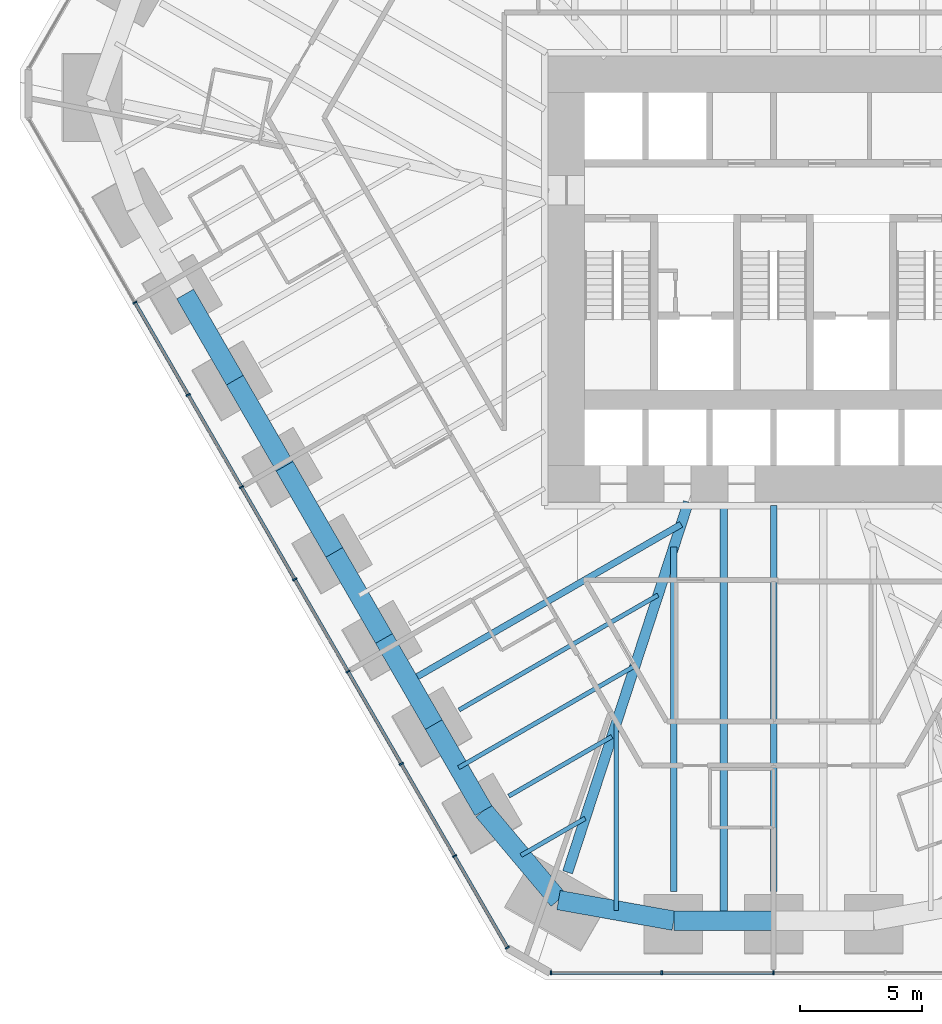
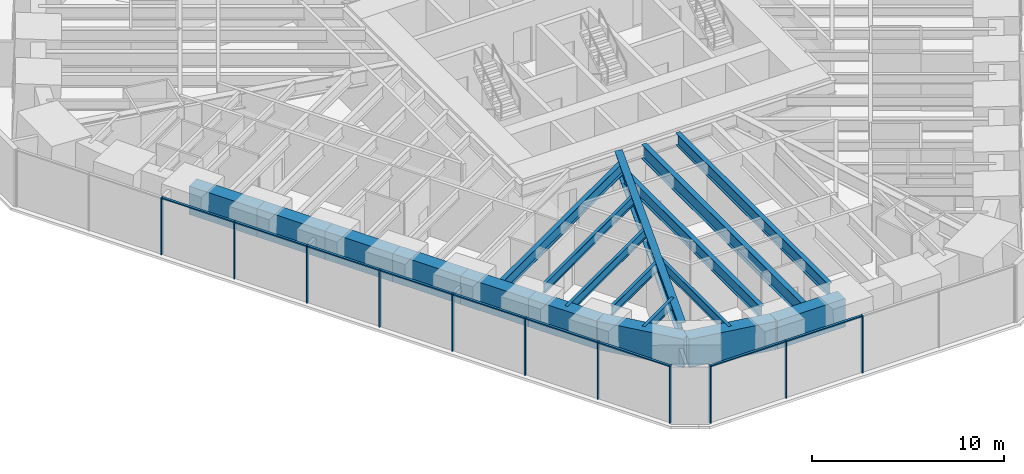
# One storey, part 2 of 17: 20 members, 19 beams, 2 elements without a shape of their own.
"""IFC4 building model written with IfcOpenShell, lengths in metres."""

from ifc_helpers import new_model, si_unit, direction, frame, origin, origin_2d, place, context, subcontext, project, spatial, rectangle, i_section, extrude, material, material_profile, profile_set, type_object, element, aggregate, save


model = new_model("IFC4")

# Units and contexts
model_context = context("Model", 3, precision=1e-05, world=origin(), true_north=direction((0.0, 1.0)))
body_context = subcontext(model_context, "Body", "Model", "MODEL_VIEW")
ifc_project = project(units=[si_unit("LENGTHUNIT", "METRE"), si_unit("AREAUNIT", "SQUARE_METRE"), si_unit("VOLUMEUNIT", "CUBIC_METRE"), si_unit("PLANEANGLEUNIT", "RADIAN"), si_unit("MASSUNIT", "GRAM", prefix="KILO")], contexts=[model_context])

# Site, building, storey
site_placement = place(None, origin())
site = spatial("IfcSite", under=ifc_project, at=site_placement, CompositionType="ELEMENT")
building_placement = place(site_placement, origin())
building = spatial("IfcBuilding", under=site, at=building_placement, Name="Sandreach Pilgrim Tower", CompositionType="ELEMENT")
storey_placement = place(building_placement, frame((0.0, 0.0, 72.39990234375)))
storey = spatial("IfcBuildingStorey", under=building, at=storey_placement, Name="L17", CompositionType="ELEMENT", Elevation=72.39990234375)

# Curtain wall, members
ifc_material_1 = material(Name="Aluminium framed curtain wall", Category="aluminium")
curtain_wall_type = type_object("IfcCurtainWallType", Name="Hostel tower curtain wall", PredefinedType="NOTDEFINED", material=ifc_material_1)
curtain_wall_1_placement = place(storey_placement, origin())
curtain_wall_1 = element("IfcCurtainWall", 1, at=curtain_wall_1_placement, inside=storey, type_object=curtain_wall_type, Name="CW-1 L17 S", PredefinedType="NOTDEFINED")
ifc_material_2 = material(Name="Aluminium extrusion", Category="aluminium")
ifc_material_profile_1 = material_profile(ifc_material_2, rectangle(XDim=0.06494140625, YDim=0.179931640625, at=origin_2d()), Name="CW-1M 65X180")
ifc_profile_set_1 = profile_set([ifc_material_profile_1], Name="Aluminium extrusion")
member_type_1 = type_object("IfcMemberType", Name="CW-1 mullion", PredefinedType="MULLION", material=ifc_profile_set_1)
member_1_placement = place(storey_placement, frame((0.0, -30.010986328125, 0.0), z_axis=(0.0, 0.0, 1.0), x_axis=(-1.0, 0.0, 0.0)))
member_1 = element("IfcMember", 2, at=member_1_placement, type_object=member_type_1, Name="CW-1 mullion 3", PredefinedType="MULLION", context=body_context, shape_type="SweptSolid", body=[
    extrude(rectangle(XDim=0.06494140625, YDim=0.179931640625, at=origin_2d()), origin(), (0.0, 0.0, 1.0), 3.64013671875),
])
member_2_placement = place(storey_placement, frame((-4.5859375, -30.010986328125, 0.0), z_axis=(0.0, 0.0, 1.0), x_axis=(-1.0, 0.0, 0.0)))
member_2 = element("IfcMember", 3, at=member_2_placement, type_object=member_type_1, Name="CW-1 mullion 4", PredefinedType="MULLION", context=body_context, shape_type="SweptSolid", body=[
    extrude(rectangle(XDim=0.06494140625, YDim=0.179931640625, at=origin_2d()), origin(), (0.0, 0.0, 1.0), 3.64013671875),
])
member_3_placement = place(storey_placement, frame((-9.1396484375, -30.010986328125, 0.0), z_axis=(0.0, 0.0, 1.0), x_axis=(-1.0, 0.0, 0.0)))
member_3 = element("IfcMember", 4, at=member_3_placement, type_object=member_type_1, Name="CW-1 mullion 5", PredefinedType="MULLION", context=body_context, shape_type="SweptSolid", body=[
    extrude(rectangle(XDim=0.06494140625, YDim=0.179931640625, at=origin_2d()), origin(), (0.0, 0.0, 1.0), 3.64013671875),
])

curtain_wall_2_placement = place(storey_placement, origin())
curtain_wall_2 = element("IfcCurtainWall", 5, at=curtain_wall_2_placement, inside=storey, type_object=curtain_wall_type, Name="CW-1 L17 SW", PredefinedType="NOTDEFINED")
member_4_placement = place(storey_placement, frame((-10.92041015625, -28.982666015625, 0.0), z_axis=(0.0, 0.0, 1.0), x_axis=(-0.5, 0.866025403784, 0.0)))
member_4 = element("IfcMember", 6, at=member_4_placement, type_object=member_type_1, Name="CW-1 mullion 1", PredefinedType="MULLION", context=body_context, shape_type="SweptSolid", body=[
    extrude(rectangle(XDim=0.06494140625, YDim=0.179931640625, at=origin_2d()), origin(), (0.0, 0.0, 1.0), 3.64013671875),
])
member_5_placement = place(storey_placement, frame((-13.08984375, -25.22509765625, 0.0), z_axis=(0.0, 0.0, 1.0), x_axis=(-0.5, 0.866025403784, 0.0)))
member_5 = element("IfcMember", 7, at=member_5_placement, type_object=member_type_1, Name="CW-1 mullion 2", PredefinedType="MULLION", context=body_context, shape_type="SweptSolid", body=[
    extrude(rectangle(XDim=0.06494140625, YDim=0.179931640625, at=origin_2d()), origin(), (0.0, 0.0, 1.0), 3.64013671875),
])
member_6_placement = place(storey_placement, frame((-15.275634765625, -21.439208984375, 0.0), z_axis=(0.0, 0.0, 1.0), x_axis=(-0.5, 0.866025403784, 0.0)))
member_6 = element("IfcMember", 8, at=member_6_placement, type_object=member_type_1, Name="CW-1 mullion 3", PredefinedType="MULLION", context=body_context, shape_type="SweptSolid", body=[
    extrude(rectangle(XDim=0.06494140625, YDim=0.179931640625, at=origin_2d()), origin(), (0.0, 0.0, 1.0), 3.64013671875),
])
member_7_placement = place(storey_placement, frame((-17.46142578125, -17.6533203125, 0.0), z_axis=(0.0, 0.0, 1.0), x_axis=(-0.5, 0.866025403784, 0.0)))
member_7 = element("IfcMember", 9, at=member_7_placement, type_object=member_type_1, Name="CW-1 mullion 4", PredefinedType="MULLION", context=body_context, shape_type="SweptSolid", body=[
    extrude(rectangle(XDim=0.06494140625, YDim=0.179931640625, at=origin_2d()), origin(), (0.0, 0.0, 1.0), 3.64013671875),
])
member_8_placement = place(storey_placement, frame((-19.647216796875, -13.8671875, 0.0), z_axis=(0.0, 0.0, 1.0), x_axis=(-0.5, 0.866025403784, 0.0)))
member_8 = element("IfcMember", 10, at=member_8_placement, type_object=member_type_1, Name="CW-1 mullion 5", PredefinedType="MULLION", context=body_context, shape_type="SweptSolid", body=[
    extrude(rectangle(XDim=0.06494140625, YDim=0.179931640625, at=origin_2d()), origin(), (0.0, 0.0, 1.0), 3.64013671875),
])
member_9_placement = place(storey_placement, frame((-21.8330078125, -10.081298828125, 0.0), z_axis=(0.0, 0.0, 1.0), x_axis=(-0.5, 0.866025403784, 0.0)))
member_9 = element("IfcMember", 11, at=member_9_placement, type_object=member_type_1, Name="CW-1 mullion 6", PredefinedType="MULLION", context=body_context, shape_type="SweptSolid", body=[
    extrude(rectangle(XDim=0.06494140625, YDim=0.179931640625, at=origin_2d()), origin(), (0.0, 0.0, 1.0), 3.64013671875),
])
member_10_placement = place(storey_placement, frame((-24.018798828125, -6.29541015625, 0.0), z_axis=(0.0, 0.0, 1.0), x_axis=(-0.5, 0.866025403784, 0.0)))
member_10 = element("IfcMember", 12, at=member_10_placement, type_object=member_type_1, Name="CW-1 mullion 7", PredefinedType="MULLION", context=body_context, shape_type="SweptSolid", body=[
    extrude(rectangle(XDim=0.06494140625, YDim=0.179931640625, at=origin_2d()), origin(), (0.0, 0.0, 1.0), 3.64013671875),
])
member_11_placement = place(storey_placement, frame((-26.20458984375, -2.509521484375, 0.0), z_axis=(0.0, 0.0, 1.0), x_axis=(-0.5, 0.866025403784, 0.0)))
member_11 = element("IfcMember", 13, at=member_11_placement, type_object=member_type_1, Name="CW-1 mullion 8", PredefinedType="MULLION", context=body_context, shape_type="SweptSolid", body=[
    extrude(rectangle(XDim=0.06494140625, YDim=0.179931640625, at=origin_2d()), origin(), (0.0, 0.0, 1.0), 3.64013671875),
])

# Member
ifc_material_3 = material(Name="Aluminium extrusion", Category="aluminium")
ifc_material_profile_2 = material_profile(ifc_material_3, rectangle(XDim=0.139892578125, YDim=0.070068359375, at=origin_2d()), Name="CW-1T 140X70")
ifc_profile_set_2 = profile_set([ifc_material_profile_2], Name="Aluminium extrusion")
member_type_2 = type_object("IfcMemberType", Name="CW-1 transom", PredefinedType="USERDEFINED", material=ifc_profile_set_2)
member_12_placement = place(storey_placement, frame((-0.032470703125, -30.010986328125, 3.60498046875), z_axis=(-1.0, 0.0, 0.0), x_axis=(0.0, -1.0, 0.0)))
member_12 = element("IfcMember", 14, at=member_12_placement, type_object=member_type_2, Name="CW-1 head transom 3", ObjectType="TRANSOM", PredefinedType="USERDEFINED", context=body_context, shape_type="SweptSolid", body=[
    extrude(rectangle(XDim=0.139892578125, YDim=0.070068359375, at=origin_2d()), origin(), (0.0, 0.0, 1.0), 4.52099609375),
])

member_13_placement = place(storey_placement, frame((-4.61865234375, -30.010986328125, 3.60498046875), z_axis=(-1.0, 0.0, 0.0), x_axis=(0.0, -1.0, 0.0)))
member_13 = element("IfcMember", 15, at=member_13_placement, type_object=member_type_2, Name="CW-1 head transom 4", ObjectType="TRANSOM", PredefinedType="USERDEFINED", context=body_context, shape_type="SweptSolid", body=[
    extrude(rectangle(XDim=0.139892578125, YDim=0.070068359375, at=origin_2d()), origin(), (0.0, 0.0, 1.0), 4.488525390625),
])

aggregate(curtain_wall_1, [member_1, member_2, member_3, member_12, member_13])

member_14_placement = place(storey_placement, frame((-10.9365234375, -28.95458984375, 3.60498046875), z_axis=(-0.500033953635, 0.866005799756, 0.0), x_axis=(-0.866005799756, -0.500033953635, 0.0)))
member_14 = element("IfcMember", 16, at=member_14_placement, type_object=member_type_2, Name="CW-1 head transom 1", ObjectType="TRANSOM", PredefinedType="USERDEFINED", context=body_context, shape_type="SweptSolid", body=[
    extrude(rectangle(XDim=0.139892578125, YDim=0.070068359375, at=origin_2d()), origin(), (0.0, 0.0, 1.0), 4.274169921875),
])

member_15_placement = place(storey_placement, frame((-13.106201171875, -25.19677734375, 3.60498046875), z_axis=(-0.500016891966, 0.866015650984, 0.0), x_axis=(-0.866015650984, -0.500016891966, 0.0)))
member_15 = element("IfcMember", 17, at=member_15_placement, type_object=member_type_2, Name="CW-1 head transom 2", ObjectType="TRANSOM", PredefinedType="USERDEFINED", context=body_context, shape_type="SweptSolid", body=[
    extrude(rectangle(XDim=0.139892578125, YDim=0.070068359375, at=origin_2d()), origin(), (0.0, 0.0, 1.0), 4.306396484375),
])

member_16_placement = place(storey_placement, frame((-15.2919921875, -21.410888671875, 3.60498046875), z_axis=(-0.500016891966, 0.866015650984, 0.0), x_axis=(-0.866015650984, -0.500016891966, 0.0)))
member_16 = element("IfcMember", 18, at=member_16_placement, type_object=member_type_2, Name="CW-1 head transom 3", ObjectType="TRANSOM", PredefinedType="USERDEFINED", context=body_context, shape_type="SweptSolid", body=[
    extrude(rectangle(XDim=0.139892578125, YDim=0.070068359375, at=origin_2d()), origin(), (0.0, 0.0, 1.0), 4.306396484375),
])

member_17_placement = place(storey_placement, frame((-17.477783203125, -17.625, 3.60498046875), z_axis=(-0.500016891966, 0.866015650984, 0.0), x_axis=(-0.866015650984, -0.500016891966, 0.0)))
member_17 = element("IfcMember", 19, at=member_17_placement, type_object=member_type_2, Name="CW-1 head transom 4", ObjectType="TRANSOM", PredefinedType="USERDEFINED", context=body_context, shape_type="SweptSolid", body=[
    extrude(rectangle(XDim=0.139892578125, YDim=0.070068359375, at=origin_2d()), origin(), (0.0, 0.0, 1.0), 4.306396484375),
])

member_18_placement = place(storey_placement, frame((-19.66357421875, -13.839111328125, 3.60498046875), z_axis=(-0.500016891966, 0.866015650984, 0.0), x_axis=(-0.866015650984, -0.500016891966, 0.0)))
member_18 = element("IfcMember", 20, at=member_18_placement, type_object=member_type_2, Name="CW-1 head transom 5", ObjectType="TRANSOM", PredefinedType="USERDEFINED", context=body_context, shape_type="SweptSolid", body=[
    extrude(rectangle(XDim=0.139892578125, YDim=0.070068359375, at=origin_2d()), origin(), (0.0, 0.0, 1.0), 4.306396484375),
])

member_19_placement = place(storey_placement, frame((-21.849365234375, -10.05322265625, 3.60498046875), z_axis=(-0.500016891966, 0.866015650984, 0.0), x_axis=(-0.866015650984, -0.500016891966, 0.0)))
member_19 = element("IfcMember", 21, at=member_19_placement, type_object=member_type_2, Name="CW-1 head transom 6", ObjectType="TRANSOM", PredefinedType="USERDEFINED", context=body_context, shape_type="SweptSolid", body=[
    extrude(rectangle(XDim=0.139892578125, YDim=0.070068359375, at=origin_2d()), origin(), (0.0, 0.0, 1.0), 4.306396484375),
])

member_20_placement = place(storey_placement, frame((-24.03515625, -6.267333984375, 3.60498046875), z_axis=(-0.500016891966, 0.866015650984, 0.0), x_axis=(-0.866015650984, -0.500016891966, 0.0)))
member_20 = element("IfcMember", 22, at=member_20_placement, type_object=member_type_2, Name="CW-1 head transom 7", ObjectType="TRANSOM", PredefinedType="USERDEFINED", context=body_context, shape_type="SweptSolid", body=[
    extrude(rectangle(XDim=0.139892578125, YDim=0.070068359375, at=origin_2d()), origin(), (0.0, 0.0, 1.0), 4.306396484375),
])

aggregate(curtain_wall_2, [member_4, member_5, member_6, member_7, member_8, member_9, member_10, member_11, member_14, member_15, member_16, member_17, member_18, member_19, member_20])

# Beams
ifc_material_4 = material(Name="Steel ASTM A992 Grade 50", Category="steel")
ifc_material_profile_3 = material_profile(ifc_material_4, i_section(OverallWidth=0.424072265625, OverallDepth=0.947509765625, WebThickness=0.02392578125, FlangeThickness=0.042724609375, at=origin_2d()), Name="W36X302")
ifc_profile_set_3 = profile_set([ifc_material_profile_3], Name="Steel ASTM A992 Grade 50")
beam_type_1 = type_object("IfcBeamType", Name="Corner girder W36X302", PredefinedType="BEAM", material=ifc_profile_set_3)
beam_1_placement = place(storey_placement, frame((-8.45166015625, -25.891357421875, 3.16650390625), z_axis=(0.310318383397, 0.950632684545, 0.0), x_axis=(-0.950632684545, 0.310318383397, 0.0)))
element("IfcBeam", 23, at=beam_1_placement, inside=storey, type_object=beam_type_1, Name="BM L17 CG26", PredefinedType="BEAM", context=body_context, shape_type="SweptSolid", body=[
    extrude(i_section(OverallWidth=0.424072265625, OverallDepth=0.947509765625, WebThickness=0.02392578125, FlangeThickness=0.042724609375, at=origin_2d()), origin(), (0.0, 0.0, 1.0), 15.980224609375),
])
ifc_material_5 = material(Name="Steel ASTM A992 Grade 50", Category="steel")
ifc_material_profile_4 = material_profile(ifc_material_5, i_section(OverallWidth=0.1787109375, OverallDepth=0.60205078125, WebThickness=0.010986328125, FlangeThickness=0.014892578125, at=origin_2d()), Name="W24X62")
ifc_profile_set_4 = profile_set([ifc_material_profile_4], Name="Steel ASTM A992 Grade 50")
beam_type_2 = type_object("IfcBeamType", Name="Floor beam W24X62", PredefinedType="BEAM", material=ifc_profile_set_4)
beam_2_placement = place(storey_placement, frame((-10.864501953125, -22.763427734375, 3.339111328125), z_axis=(0.866017503598, 0.500013683274, 0.0), x_axis=(-0.500013683274, 0.866017503598, 0.0)))
element("IfcBeam", 24, at=beam_2_placement, inside=storey, type_object=beam_type_2, Name="BM L17 F27", PredefinedType="BEAM", context=body_context, shape_type="SweptSolid", body=[
    extrude(i_section(OverallWidth=0.1787109375, OverallDepth=0.60205078125, WebThickness=0.010986328125, FlangeThickness=0.014892578125, at=origin_2d()), origin(), (0.0, 0.0, 1.0), 4.885986328125),
])
beam_3_placement = place(storey_placement, frame((-12.90478515625, -19.229736328125, 3.339111328125), z_axis=(0.866013563863, 0.500020506785, 0.0), x_axis=(-0.500020506785, 0.866013563863, 0.0)))
element("IfcBeam", 25, at=beam_3_placement, inside=storey, type_object=beam_type_2, Name="BM L17 F28", PredefinedType="BEAM", context=body_context, shape_type="SweptSolid", body=[
    extrude(i_section(OverallWidth=0.1787109375, OverallDepth=0.60205078125, WebThickness=0.010986328125, FlangeThickness=0.014892578125, at=origin_2d()), origin(), (0.0, 0.0, 1.0), 9.43017578125),
])
beam_4_placement = place(storey_placement, frame((-6.458984375, -27.455078125, 3.339111328125), z_axis=(0.0, 1.0, 0.0), x_axis=(-1.0, 0.0, 0.0)))
element("IfcBeam", 26, at=beam_4_placement, inside=storey, type_object=beam_type_2, Name="BM L17 FM25", PredefinedType="BEAM", context=body_context, shape_type="SweptSolid", body=[
    extrude(i_section(OverallWidth=0.1787109375, OverallDepth=0.60205078125, WebThickness=0.010986328125, FlangeThickness=0.014892578125, at=origin_2d()), origin(), (0.0, 0.0, 1.0), 7.66796875),
])
beam_5_placement = place(storey_placement, frame((-10.36376953125, -25.19775390625, 3.339111328125), z_axis=(0.866022582964, 0.500004885773, 0.0), x_axis=(-0.500004885773, 0.866022582964, 0.0)))
element("IfcBeam", 27, at=beam_5_placement, inside=storey, type_object=beam_type_2, Name="BM L17 FM26", PredefinedType="BEAM", context=body_context, shape_type="SweptSolid", body=[
    extrude(i_section(OverallWidth=0.1787109375, OverallDepth=0.60205078125, WebThickness=0.010986328125, FlangeThickness=0.014892578125, at=origin_2d()), origin(), (0.0, 0.0, 1.0), 3.04296875),
])
beam_6_placement = place(storey_placement, frame((-12.923828125, -21.596435546875, 3.339111328125), z_axis=(0.866028955209, 0.499993848702, 0.0), x_axis=(-0.499993848702, 0.866028955209, 0.0)))
element("IfcBeam", 28, at=beam_6_placement, inside=storey, type_object=beam_type_2, Name="BM L17 FM27", PredefinedType="BEAM", context=body_context, shape_type="SweptSolid", body=[
    extrude(i_section(OverallWidth=0.1787109375, OverallDepth=0.60205078125, WebThickness=0.010986328125, FlangeThickness=0.014892578125, at=origin_2d()), origin(), (0.0, 0.0, 1.0), 8.35791015625),
])
ifc_material_6 = material(Name="Steel ASTM A992 Grade 50", Category="steel")
ifc_material_profile_5 = material_profile(ifc_material_6, i_section(OverallWidth=0.2666015625, OverallDepth=0.761962890625, WebThickness=0.014404296875, FlangeThickness=0.021484375, at=origin_2d()), Name="W30X116")
ifc_profile_set_5 = profile_set([ifc_material_profile_5], Name="Steel ASTM A992 Grade 50")
beam_type_3 = type_object("IfcBeamType", Name="Floor beam W30X116", PredefinedType="BEAM", material=ifc_profile_set_5)
beam_7_placement = place(storey_placement, frame((-4.09423828125, -26.67822265625, 3.259033203125), z_axis=(0.0, 1.0, 0.0), x_axis=(-1.0, 0.0, 0.0)))
element("IfcBeam", 29, at=beam_7_placement, inside=storey, type_object=beam_type_3, Name="BM L17 F25", PredefinedType="BEAM", context=body_context, shape_type="SweptSolid", body=[
    extrude(i_section(OverallWidth=0.2666015625, OverallDepth=0.761962890625, WebThickness=0.014404296875, FlangeThickness=0.021484375, at=origin_2d()), origin(), (0.0, 0.0, 1.0), 14.1357421875),
])
beam_8_placement = place(storey_placement, frame((-14.964111328125, -18.062744140625, 3.259033203125), z_axis=(0.866026773083, 0.499997628298, 0.0), x_axis=(-0.499997628298, 0.866026773083, 0.0)))
element("IfcBeam", 30, at=beam_8_placement, inside=storey, type_object=beam_type_3, Name="BM L17 FM28", PredefinedType="BEAM", context=body_context, shape_type="SweptSolid", body=[
    extrude(i_section(OverallWidth=0.2666015625, OverallDepth=0.761962890625, WebThickness=0.014404296875, FlangeThickness=0.021484375, at=origin_2d()), origin(), (0.0, 0.0, 1.0), 12.90234375),
])
ifc_material_7 = material(Name="Steel ASTM A992 Grade 50", Category="steel")
ifc_material_profile_6 = material_profile(ifc_material_7, i_section(OverallWidth=0.2666015625, OverallDepth=0.77978515625, WebThickness=0.0166015625, FlangeThickness=0.030029296875, at=origin_2d()), Name="W30X148")
ifc_profile_set_6 = profile_set([ifc_material_profile_6], Name="Steel ASTM A992 Grade 50")
beam_type_4 = type_object("IfcBeamType", Name="Floor beam W30X148", PredefinedType="BEAM", material=ifc_profile_set_6)
beam_9_placement = place(storey_placement, frame((0.0, -26.67822265625, 3.250244140625), z_axis=(0.0, 1.0, 0.0), x_axis=(-1.0, 0.0, 0.0)))
element("IfcBeam", 31, at=beam_9_placement, inside=storey, type_object=beam_type_4, Name="BM L17 F24", PredefinedType="BEAM", context=body_context, shape_type="SweptSolid", body=[
    extrude(i_section(OverallWidth=0.2666015625, OverallDepth=0.77978515625, WebThickness=0.0166015625, FlangeThickness=0.030029296875, at=origin_2d()), origin(), (0.0, 0.0, 1.0), 15.8349609375),
])
ifc_material_8 = material(Name="Steel ASTM A992 Grade 50", Category="steel")
ifc_material_profile_7 = material_profile(ifc_material_8, i_section(OverallWidth=0.3046875, OverallDepth=0.914306640625, WebThickness=0.0166015625, FlangeThickness=0.02587890625, at=origin_2d()), Name="W36X160")
ifc_profile_set_7 = profile_set([ifc_material_profile_7], Name="Steel ASTM A992 Grade 50")
beam_type_5 = type_object("IfcBeamType", Name="Floor beam W36X160", PredefinedType="BEAM", material=ifc_profile_set_7)
beam_10_placement = place(storey_placement, frame((-2.047119140625, -27.87841796875, 3.182861328125), z_axis=(0.0, 1.0, 0.0), x_axis=(-1.0, 0.0, 0.0)))
element("IfcBeam", 32, at=beam_10_placement, inside=storey, type_object=beam_type_5, Name="BM L17 FM24", PredefinedType="BEAM", context=body_context, shape_type="SweptSolid", body=[
    extrude(i_section(OverallWidth=0.3046875, OverallDepth=0.914306640625, WebThickness=0.0166015625, FlangeThickness=0.02587890625, at=origin_2d()), origin(), (0.0, 0.0, 1.0), 17.03515625),
])
ifc_material_9 = material(Name="Concrete 10000 psi", Category="concrete")
ifc_material_profile_8 = material_profile(ifc_material_9, rectangle(XDim=0.800048828125, YDim=1.800048828125, at=origin_2d()), Name="RC800X1800")
ifc_profile_set_8 = profile_set([ifc_material_profile_8], Name="Concrete 10000 psi")
beam_type_6 = type_object("IfcBeamType", Name="Spandrel beam RC800X1800", PredefinedType="SPANDREL", material=ifc_profile_set_8)
beam_11_placement = place(storey_placement, frame((0.0, -27.87841796875, 2.739990234375), z_axis=(-1.0, 0.0, 0.0), x_axis=(0.0, -1.0, 0.0)))
element("IfcBeam", 33, at=beam_11_placement, inside=storey, type_object=beam_type_6, Name="BM L17 SP24", PredefinedType="SPANDREL", context=body_context, shape_type="SweptSolid", body=[
    extrude(rectangle(XDim=0.800048828125, YDim=1.800048828125, at=origin_2d()), origin(), (0.0, 0.0, 1.0), 4.09423828125),
])
beam_12_placement = place(storey_placement, frame((-4.09423828125, -27.87841796875, 2.739990234375), z_axis=(-0.984361244029, 0.176161690654, 0.0), x_axis=(-0.176161690654, -0.984361244029, 0.0)))
element("IfcBeam", 34, at=beam_12_placement, inside=storey, type_object=beam_type_6, Name="BM L17 SP25", PredefinedType="SPANDREL", context=body_context, shape_type="SweptSolid", body=[
    extrude(rectangle(XDim=0.800048828125, YDim=1.800048828125, at=origin_2d()), origin(), (0.0, 0.0, 1.0), 4.804931640625),
])
beam_13_placement = place(storey_placement, frame((-8.823974609375, -27.031982421875, 2.739990234375), z_axis=(-0.642962557654, 0.765897610295, 0.0), x_axis=(-0.765897610295, -0.642962557654, 0.0)))
element("IfcBeam", 35, at=beam_13_placement, inside=storey, type_object=beam_type_6, Name="BM L17 SP26", PredefinedType="SPANDREL", context=body_context, shape_type="SweptSolid", body=[
    extrude(rectangle(XDim=0.800048828125, YDim=1.800048828125, at=origin_2d()), origin(), (0.0, 0.0, 1.0), 4.7900390625),
])
for number, where, z_axis, x_axis, name in (
    (36, (-11.90380859375, -23.36328125, 2.739990234375), (-0.499974519561, 0.866040114423, 0.0), (-0.866040114423, -0.499974519561, 0.0), "BM L17 SP27"),
    (37, (-13.94384765625, -19.82958984375, 2.739990234375), (-0.500019394716, 0.86601420595, 0.0), (-0.86601420595, -0.500019394716, 0.0), "BM L17 SP28"),
    (38, (-15.984130859375, -16.2958984375, 2.739990234375), (-0.500019394716, 0.86601420595, 0.0), (-0.86601420595, -0.500019394716, 0.0), "BM L17 SP29"),
    (39, (-18.0244140625, -12.76220703125, 2.739990234375), (-0.499974519561, 0.866040114423, 0.0), (-0.866040114423, -0.499974519561, 0.0), "BM L17 SP30"),
    (40, (-20.064453125, -9.228515625, 2.739990234375), (-0.500019394716, 0.86601420595, 0.0), (-0.86601420595, -0.500019394716, 0.0), "BM L17 SP31"),
    (41, (-22.104736328125, -5.69482421875, 2.739990234375), (-0.500019394716, 0.86601420595, 0.0), (-0.86601420595, -0.500019394716, 0.0), "BM L17 SP32"),
):
    element("IfcBeam", number, at=place(storey_placement, frame(where, z_axis=z_axis, x_axis=x_axis)), inside=storey, type_object=beam_type_6, Name=name, PredefinedType="SPANDREL", context=body_context, shape_type="SweptSolid", body=[
        extrude(rectangle(XDim=0.800048828125, YDim=1.800048828125, at=origin_2d()), origin(), (0.0, 0.0, 1.0), 4.080322265625),
    ])

save(model, "model.ifc")
